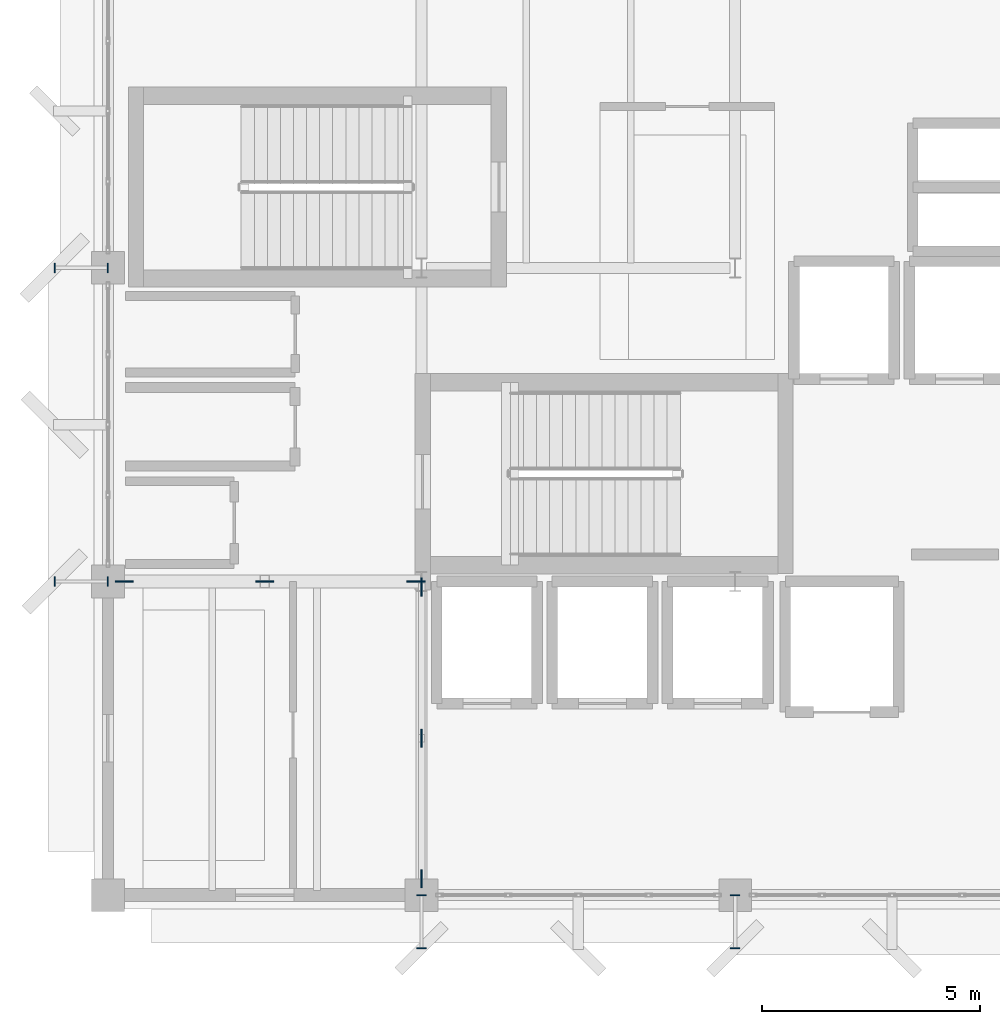
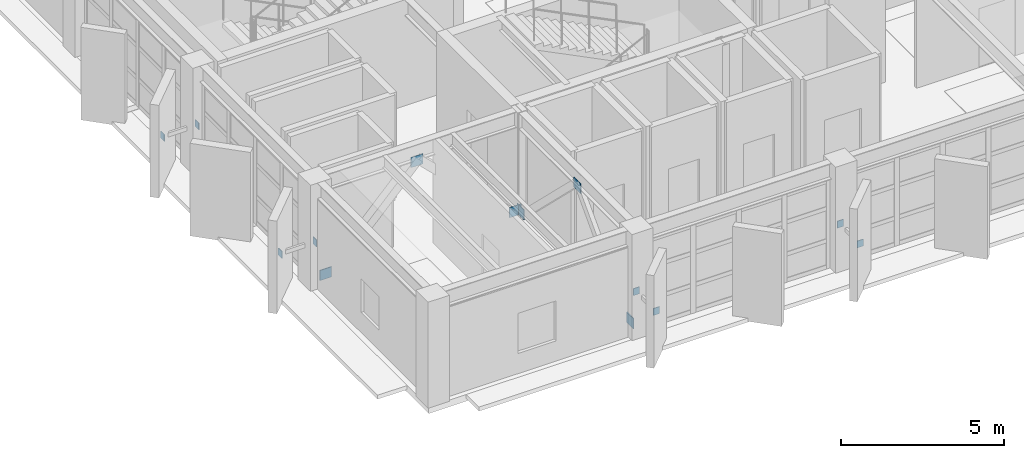
# One storey, part 29 of 37: 14 discrete accessories.
"""IFC4 building model written with IfcOpenShell, lengths in metres."""

from ifc_helpers import new_model, si_unit, direction, frame, origin, origin_2d, place, context, subcontext, project, spatial, rectangle, extrude, material, type_object, element, save


model = new_model("IFC4")

# Units and contexts
model_context = context("Model", 3, precision=1e-05, world=origin(), true_north=direction((0.0, 1.0)))
body_context = subcontext(model_context, "Body", "Model", "MODEL_VIEW")
ifc_project = project(units=[si_unit("LENGTHUNIT", "METRE"), si_unit("AREAUNIT", "SQUARE_METRE"), si_unit("VOLUMEUNIT", "CUBIC_METRE"), si_unit("PLANEANGLEUNIT", "RADIAN"), si_unit("MASSUNIT", "GRAM", prefix="KILO")], contexts=[model_context])

# Site, building, storey
site_placement = place(None, origin())
site = spatial("IfcSite", under=ifc_project, at=site_placement, CompositionType="ELEMENT")
building_placement = place(site_placement, origin())
building = spatial("IfcBuilding", under=site, at=building_placement, Name="Kandorven Conservatory and Botanical Research Centre", CompositionType="ELEMENT")
storey_placement = place(building_placement, frame((0.0, 0.0, 9.0)))
storey = spatial("IfcBuildingStorey", under=building, at=storey_placement, Name="L02", CompositionType="ELEMENT", Elevation=9.0)

# Discrete accessories
ifc_material_1 = material(Name="Steel S355 (IS 2062 E350)", Category="steel")
discrete_accessory_type_1 = type_object("IfcDiscreteAccessoryType", Name="BraceGussetPlate", PredefinedType="BRACKET", material=ifc_material_1)
for number, where, z_axis, x_axis, name in (
    (1, (6.375, 13.199951171875, -0.010009765625), (0.0, 0.0, 1.0), (1.0, 0.0, 0.0), "Welded chevron brace gusset plate L02 X-W"),
    (2, (9.60009765625, 13.199951171875, 3.080078125), (0.0, 0.0, 1.0), (1.0, 0.0, 0.0), "Welded chevron brace gusset plate L02 X-M"),
    (3, (13.074951171875, 13.199951171875, -0.010009765625), (0.0, 0.0, 1.0), (1.0, 0.0, 0.0), "Welded chevron brace gusset plate L02 X-E"),
):
    element("IfcDiscreteAccessory", number, at=place(storey_placement, frame(where, z_axis=z_axis, x_axis=x_axis)), inside=storey, type_object=discrete_accessory_type_1, Name=name, PredefinedType="BRACKET", context=body_context, shape_type="SweptSolid", body=[
        extrude(rectangle(XDim=0.419921875, YDim=0.028076171875, at=origin_2d()), origin(), (0.0, 0.0, 1.0), 0.3798828125),
    ])
for number, where, z_axis, x_axis, name in (
    (4, (13.199951171875, 6.375, -0.010009765625), (0.0, 0.0, 1.0), (1.0, 0.0, 0.0), "Welded chevron brace gusset plate L02 Y-S"),
    (5, (13.199951171875, 9.60009765625, 3.080078125), (0.0, 0.0, 1.0), (1.0, 0.0, 0.0), "Welded chevron brace gusset plate L02 Y-M"),
    (6, (13.199951171875, 13.074951171875, -0.010009765625), (0.0, 0.0, 1.0), (1.0, 0.0, 0.0), "Welded chevron brace gusset plate L02 Y-N"),
):
    element("IfcDiscreteAccessory", number, at=place(storey_placement, frame(where, z_axis=z_axis, x_axis=x_axis)), inside=storey, type_object=discrete_accessory_type_1, Name=name, PredefinedType="BRACKET", context=body_context, shape_type="SweptSolid", body=[
        extrude(rectangle(XDim=0.028076171875, YDim=0.419921875, at=origin_2d()), origin(), (0.0, 0.0, 1.0), 0.3798828125),
    ])
ifc_material_2 = material(Name="Steel S355 (IS 2062 E350)", Category="steel")
discrete_accessory_type_2 = type_object("IfcDiscreteAccessoryType", Name="SteelGussetPlate", PredefinedType="BRACKET", material=ifc_material_2)
for number, where, z_axis, x_axis, name in (
    (7, (13.199951171875, 6.0, 1.3701171875), (0.0, 0.0, 1.0), (1.0, 0.0, 0.0), "Welded steel strut end-plate GUS-01 #11A"),
    (8, (13.199951171875, 4.780029296875, 1.3701171875), (0.0, 0.0, 1.0), (1.0, 0.0, 0.0), "Welded steel strut end-plate GUS-01 #11B"),
    (9, (20.39990234375, 6.0, 1.3701171875), (0.0, 0.0, 1.0), (1.0, 0.0, 0.0), "Welded steel strut end-plate GUS-01 #13A"),
    (10, (20.39990234375, 4.780029296875, 1.3701171875), (0.0, 0.0, 1.0), (1.0, 0.0, 0.0), "Welded steel strut end-plate GUS-01 #13B"),
):
    element("IfcDiscreteAccessory", number, at=place(storey_placement, frame(where, z_axis=z_axis, x_axis=x_axis)), inside=storey, type_object=discrete_accessory_type_2, Name=name, PredefinedType="BRACKET", context=body_context, shape_type="SweptSolid", body=[
        extrude(rectangle(XDim=0.219970703125, YDim=0.02392578125, at=origin_2d()), origin(), (0.0, 0.0, 1.0), 0.260009765625),
    ])
for number, where, z_axis, x_axis, name in (
    (11, (6.0, 13.199951171875, 1.3701171875), (0.0, 0.0, 1.0), (1.0, 0.0, 0.0), "Welded steel strut end-plate GUS-01 #17A"),
    (12, (4.780029296875, 13.199951171875, 1.3701171875), (0.0, 0.0, 1.0), (1.0, 0.0, 0.0), "Welded steel strut end-plate GUS-01 #17B"),
    (13, (6.0, 20.39990234375, 1.3701171875), (0.0, 0.0, 1.0), (1.0, 0.0, 0.0), "Welded steel strut end-plate GUS-01 #19A"),
    (14, (4.780029296875, 20.39990234375, 1.3701171875), (0.0, 0.0, 1.0), (1.0, 0.0, 0.0), "Welded steel strut end-plate GUS-01 #19B"),
):
    element("IfcDiscreteAccessory", number, at=place(storey_placement, frame(where, z_axis=z_axis, x_axis=x_axis)), inside=storey, type_object=discrete_accessory_type_2, Name=name, PredefinedType="BRACKET", context=body_context, shape_type="SweptSolid", body=[
        extrude(rectangle(XDim=0.02392578125, YDim=0.219970703125, at=origin_2d()), origin(), (0.0, 0.0, 1.0), 0.260009765625),
    ])

save(model, "model.ifc")
